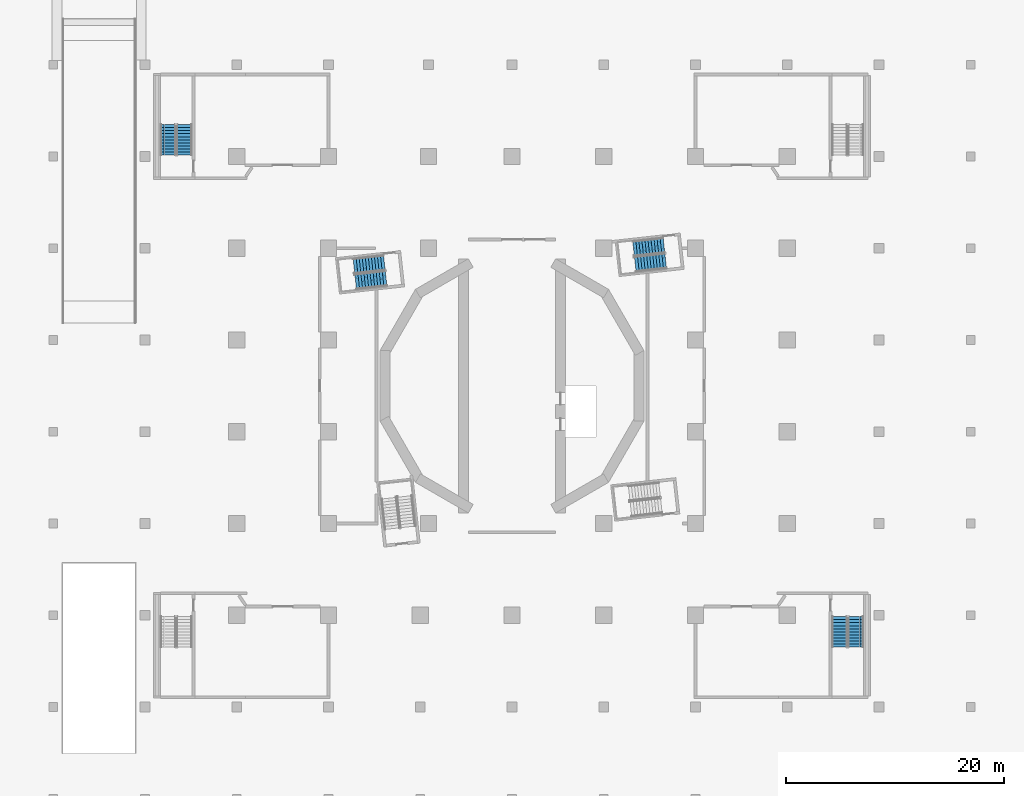
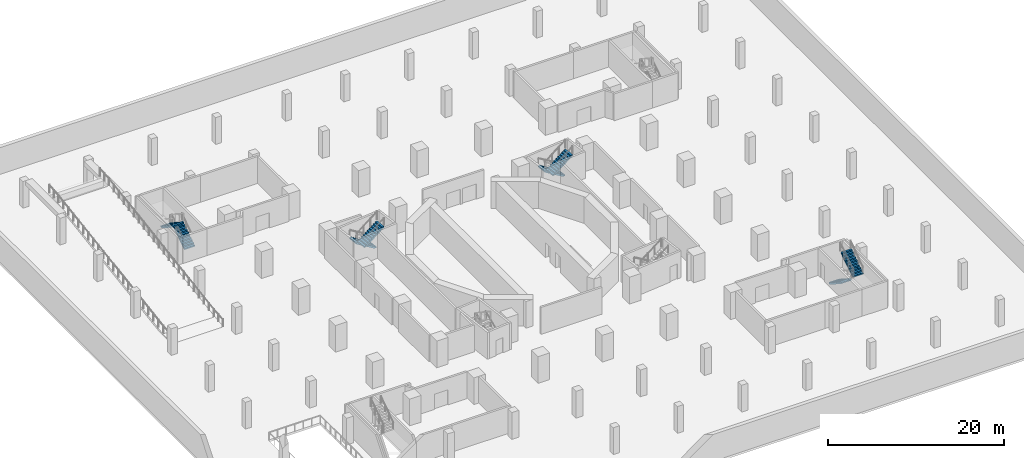
# One storey, part 11 of 18: 8 stair flights, 4 elements without a shape of their own.
"""IFC4 building model written with IfcOpenShell, lengths in metres."""

from ifc_helpers import new_model, si_unit, direction, frame, origin, place, context, subcontext, project, spatial, polyline, outline, extrude, material, type_object, element, aggregate, save


model = new_model("IFC4")

# Units and contexts
model_context = context("Model", 3, precision=1e-05, world=origin(), true_north=direction((0.0, 1.0)))
body_context = subcontext(model_context, "Body", "Model", "MODEL_VIEW")
ifc_project = project(units=[si_unit("LENGTHUNIT", "METRE"), si_unit("AREAUNIT", "SQUARE_METRE"), si_unit("VOLUMEUNIT", "CUBIC_METRE"), si_unit("PLANEANGLEUNIT", "RADIAN"), si_unit("MASSUNIT", "GRAM", prefix="KILO")], contexts=[model_context])

# Site, building, storey
site_placement = place(None, origin())
site = spatial("IfcSite", under=ifc_project, at=site_placement, CompositionType="ELEMENT")
building_placement = place(site_placement, origin())
building = spatial("IfcBuilding", under=site, at=building_placement, Name="Cantera Rosa Tower", CompositionType="ELEMENT")
storey_placement = place(building_placement, frame((0.0, 0.0, -13.0)))
storey = spatial("IfcBuildingStorey", under=building, at=storey_placement, Name="B3", CompositionType="ELEMENT", Elevation=-13.0)

# Stair, stair flights
ifc_material_1 = material(Name="Concrete C35/45", Category="concrete")
stair_type_1 = type_object("IfcStairType", Name="EXIT STAIR 1350 DOGLEG", PredefinedType="HALF_TURN_STAIR", material=ifc_material_1)
stair_1_placement = place(storey_placement, origin())
stair_1 = element("IfcStair", 1, at=stair_1_placement, inside=storey, type_object=stair_type_1, Name="B3 ST-11", PredefinedType="HALF_TURN_STAIR")
ifc_material_2 = material(Name="Concrete C35/45", Category="concrete")
stair_flight_type_1 = type_object("IfcStairFlightType", Name="STAIR FLIGHT 1350 R22x182", PredefinedType="STRAIGHT", material=ifc_material_2)
stair_flight_1_placement = place(storey_placement, frame((13.90869140625, 12.89990234375, 0.0), z_axis=(0.0, 0.0, 1.0), x_axis=(-0.993896947056, -0.110312549749, 0.0)))
stair_flight_1 = element("IfcStairFlight", 2, at=stair_flight_1_placement, type_object=stair_flight_type_1, Name="ST-11 flight 1", NumberOfRisers=11, NumberOfTreads=10, PredefinedType="STRAIGHT", RiserHeight=0.181818182, TreadLength=0.28, context=body_context, shape_type="SweptSolid", body=[
    extrude(outline(polyline([(0.0, 0.0), (0.0, 0.181884765625), (0.280029296875, 0.181884765625), (0.280029296875, 0.363525390625), (0.56005859375, 0.363525390625), (0.56005859375, 0.54541015625), (0.840087890625, 0.54541015625), (0.840087890625, 0.727294921875), (1.1201171875, 0.727294921875), (1.1201171875, 0.9091796875), (1.39990234375, 0.9091796875), (1.39990234375, 1.0908203125), (1.679931640625, 1.0908203125), (1.679931640625, 1.272705078125), (1.9599609375, 1.272705078125), (1.9599609375, 1.45458984375), (2.239990234375, 1.45458984375), (2.239990234375, 1.636474609375), (2.52001953125, 1.636474609375), (2.52001953125, 1.818115234375), (2.800048828125, 1.818115234375), (2.800048828125, 2.0), (2.800048828125, 1.639404296875), (0.275146484375, 0.0), (0.0, 0.0)])), frame((0.0, 0.675048828125, 0.0), z_axis=(0.0, -1.0, 0.0), x_axis=(1.0, 0.0, 0.0)), (0.0, 0.0, 1.0), 0.3359375),
    extrude(outline(polyline([(0.0, 0.0), (0.0, 0.181884765625), (0.280029296875, 0.181884765625), (0.280029296875, 0.363525390625), (0.56005859375, 0.363525390625), (0.56005859375, 0.54541015625), (0.840087890625, 0.54541015625), (0.840087890625, 0.727294921875), (1.1201171875, 0.727294921875), (1.1201171875, 0.9091796875), (1.39990234375, 0.9091796875), (1.39990234375, 1.0908203125), (1.679931640625, 1.0908203125), (1.679931640625, 1.272705078125), (1.9599609375, 1.272705078125), (1.9599609375, 1.45458984375), (2.239990234375, 1.45458984375), (2.239990234375, 1.636474609375), (2.52001953125, 1.636474609375), (2.52001953125, 1.818115234375), (2.800048828125, 1.818115234375), (2.800048828125, 2.0), (2.800048828125, 1.639404296875), (0.275146484375, 0.0), (0.0, 0.0)])), frame((0.0, 0.337158203125, 0.0), z_axis=(0.0, -1.0, 0.0), x_axis=(1.0, 0.0, 0.0)), (0.0, 0.0, 1.0), 0.3359375),
    extrude(outline(polyline([(0.0, 0.0), (0.0, 0.181884765625), (0.280029296875, 0.181884765625), (0.280029296875, 0.363525390625), (0.56005859375, 0.363525390625), (0.56005859375, 0.54541015625), (0.840087890625, 0.54541015625), (0.840087890625, 0.727294921875), (1.1201171875, 0.727294921875), (1.1201171875, 0.9091796875), (1.39990234375, 0.9091796875), (1.39990234375, 1.0908203125), (1.679931640625, 1.0908203125), (1.679931640625, 1.272705078125), (1.9599609375, 1.272705078125), (1.9599609375, 1.45458984375), (2.239990234375, 1.45458984375), (2.239990234375, 1.636474609375), (2.52001953125, 1.636474609375), (2.52001953125, 1.818115234375), (2.800048828125, 1.818115234375), (2.800048828125, 2.0), (2.800048828125, 1.639404296875), (0.275146484375, 0.0), (0.0, 0.0)])), frame((0.0, -0.000732421875, 0.0), z_axis=(0.0, -1.0, 0.0), x_axis=(1.0, 0.0, 0.0)), (0.0, 0.0, 1.0), 0.3359375),
    extrude(outline(polyline([(0.0, 0.0), (0.0, 0.181884765625), (0.280029296875, 0.181884765625), (0.280029296875, 0.363525390625), (0.56005859375, 0.363525390625), (0.56005859375, 0.54541015625), (0.840087890625, 0.54541015625), (0.840087890625, 0.727294921875), (1.1201171875, 0.727294921875), (1.1201171875, 0.9091796875), (1.39990234375, 0.9091796875), (1.39990234375, 1.0908203125), (1.679931640625, 1.0908203125), (1.679931640625, 1.272705078125), (1.9599609375, 1.272705078125), (1.9599609375, 1.45458984375), (2.239990234375, 1.45458984375), (2.239990234375, 1.636474609375), (2.52001953125, 1.636474609375), (2.52001953125, 1.818115234375), (2.800048828125, 1.818115234375), (2.800048828125, 2.0), (2.800048828125, 1.639404296875), (0.275146484375, 0.0), (0.0, 0.0)])), frame((0.0, -0.338623046875, 0.0), z_axis=(0.0, -1.0, 0.0), x_axis=(1.0, 0.0, 0.0)), (0.0, 0.0, 1.0), 0.3359375),
])
stair_flight_2_placement = place(storey_placement, frame((11.291259765625, 11.10009765625, 2.0), z_axis=(0.0, 0.0, 1.0), x_axis=(0.993896947056, 0.110312549749, 0.0)))
stair_flight_2 = element("IfcStairFlight", 3, at=stair_flight_2_placement, type_object=stair_flight_type_1, Name="ST-11 flight 2", NumberOfRisers=11, NumberOfTreads=10, PredefinedType="STRAIGHT", RiserHeight=0.181818182, TreadLength=0.28, context=body_context, shape_type="SweptSolid", body=[
    extrude(outline(polyline([(0.0, 0.0), (0.0, 0.181884765625), (0.280029296875, 0.181884765625), (0.280029296875, 0.363525390625), (0.56005859375, 0.363525390625), (0.56005859375, 0.54541015625), (0.840087890625, 0.54541015625), (0.840087890625, 0.727294921875), (1.1201171875, 0.727294921875), (1.1201171875, 0.9091796875), (1.39990234375, 0.9091796875), (1.39990234375, 1.0908203125), (1.679931640625, 1.0908203125), (1.679931640625, 1.272705078125), (1.9599609375, 1.272705078125), (1.9599609375, 1.45458984375), (2.239990234375, 1.45458984375), (2.239990234375, 1.636474609375), (2.52001953125, 1.636474609375), (2.52001953125, 1.818115234375), (2.800048828125, 1.818115234375), (2.800048828125, 2.0), (2.800048828125, 1.639404296875), (0.275146484375, 0.0), (0.0, 0.0)])), frame((0.0, 0.675048828125, 0.0), z_axis=(0.0, -1.0, 0.0), x_axis=(1.0, 0.0, 0.0)), (0.0, 0.0, 1.0), 0.3359375),
    extrude(outline(polyline([(0.0, 0.0), (0.0, 0.181884765625), (0.280029296875, 0.181884765625), (0.280029296875, 0.363525390625), (0.56005859375, 0.363525390625), (0.56005859375, 0.54541015625), (0.840087890625, 0.54541015625), (0.840087890625, 0.727294921875), (1.1201171875, 0.727294921875), (1.1201171875, 0.9091796875), (1.39990234375, 0.9091796875), (1.39990234375, 1.0908203125), (1.679931640625, 1.0908203125), (1.679931640625, 1.272705078125), (1.9599609375, 1.272705078125), (1.9599609375, 1.45458984375), (2.239990234375, 1.45458984375), (2.239990234375, 1.636474609375), (2.52001953125, 1.636474609375), (2.52001953125, 1.818115234375), (2.800048828125, 1.818115234375), (2.800048828125, 2.0), (2.800048828125, 1.639404296875), (0.275146484375, 0.0), (0.0, 0.0)])), frame((0.0, 0.337158203125, 0.0), z_axis=(0.0, -1.0, 0.0), x_axis=(1.0, 0.0, 0.0)), (0.0, 0.0, 1.0), 0.3359375),
    extrude(outline(polyline([(0.0, 0.0), (0.0, 0.181884765625), (0.280029296875, 0.181884765625), (0.280029296875, 0.363525390625), (0.56005859375, 0.363525390625), (0.56005859375, 0.54541015625), (0.840087890625, 0.54541015625), (0.840087890625, 0.727294921875), (1.1201171875, 0.727294921875), (1.1201171875, 0.9091796875), (1.39990234375, 0.9091796875), (1.39990234375, 1.0908203125), (1.679931640625, 1.0908203125), (1.679931640625, 1.272705078125), (1.9599609375, 1.272705078125), (1.9599609375, 1.45458984375), (2.239990234375, 1.45458984375), (2.239990234375, 1.636474609375), (2.52001953125, 1.636474609375), (2.52001953125, 1.818115234375), (2.800048828125, 1.818115234375), (2.800048828125, 2.0), (2.800048828125, 1.639404296875), (0.275146484375, 0.0), (0.0, 0.0)])), frame((0.0, -0.000732421875, 0.0), z_axis=(0.0, -1.0, 0.0), x_axis=(1.0, 0.0, 0.0)), (0.0, 0.0, 1.0), 0.3359375),
    extrude(outline(polyline([(0.0, 0.0), (0.0, 0.181884765625), (0.280029296875, 0.181884765625), (0.280029296875, 0.363525390625), (0.56005859375, 0.363525390625), (0.56005859375, 0.54541015625), (0.840087890625, 0.54541015625), (0.840087890625, 0.727294921875), (1.1201171875, 0.727294921875), (1.1201171875, 0.9091796875), (1.39990234375, 0.9091796875), (1.39990234375, 1.0908203125), (1.679931640625, 1.0908203125), (1.679931640625, 1.272705078125), (1.9599609375, 1.272705078125), (1.9599609375, 1.45458984375), (2.239990234375, 1.45458984375), (2.239990234375, 1.636474609375), (2.52001953125, 1.636474609375), (2.52001953125, 1.818115234375), (2.800048828125, 1.818115234375), (2.800048828125, 2.0), (2.800048828125, 1.639404296875), (0.275146484375, 0.0), (0.0, 0.0)])), frame((0.0, -0.338623046875, 0.0), z_axis=(0.0, -1.0, 0.0), x_axis=(1.0, 0.0, 0.0)), (0.0, 0.0, 1.0), 0.3359375),
])
aggregate(stair_1, [stair_flight_1, stair_flight_2])

stair_2_placement = place(storey_placement, origin())
stair_2 = element("IfcStair", 4, at=stair_2_placement, inside=storey, type_object=stair_type_1, Name="B3 ST-12", PredefinedType="HALF_TURN_STAIR")
stair_flight_3_placement = place(storey_placement, frame((-11.691162109375, 11.2998046875, 0.0), z_axis=(0.0, 0.0, 1.0), x_axis=(-0.993896947056, -0.110312549749, 0.0)))
stair_flight_3 = element("IfcStairFlight", 5, at=stair_flight_3_placement, type_object=stair_flight_type_1, Name="ST-12 flight 1", NumberOfRisers=11, NumberOfTreads=10, PredefinedType="STRAIGHT", RiserHeight=0.181818182, TreadLength=0.28, context=body_context, shape_type="SweptSolid", body=[
    extrude(outline(polyline([(0.0, 0.0), (0.0, 0.181884765625), (0.280029296875, 0.181884765625), (0.280029296875, 0.363525390625), (0.56005859375, 0.363525390625), (0.56005859375, 0.54541015625), (0.840087890625, 0.54541015625), (0.840087890625, 0.727294921875), (1.1201171875, 0.727294921875), (1.1201171875, 0.9091796875), (1.39990234375, 0.9091796875), (1.39990234375, 1.0908203125), (1.679931640625, 1.0908203125), (1.679931640625, 1.272705078125), (1.9599609375, 1.272705078125), (1.9599609375, 1.45458984375), (2.239990234375, 1.45458984375), (2.239990234375, 1.636474609375), (2.52001953125, 1.636474609375), (2.52001953125, 1.818115234375), (2.800048828125, 1.818115234375), (2.800048828125, 2.0), (2.800048828125, 1.639404296875), (0.275146484375, 0.0), (0.0, 0.0)])), frame((0.0, 0.675048828125, 0.0), z_axis=(0.0, -1.0, 0.0), x_axis=(1.0, 0.0, 0.0)), (0.0, 0.0, 1.0), 0.3359375),
    extrude(outline(polyline([(0.0, 0.0), (0.0, 0.181884765625), (0.280029296875, 0.181884765625), (0.280029296875, 0.363525390625), (0.56005859375, 0.363525390625), (0.56005859375, 0.54541015625), (0.840087890625, 0.54541015625), (0.840087890625, 0.727294921875), (1.1201171875, 0.727294921875), (1.1201171875, 0.9091796875), (1.39990234375, 0.9091796875), (1.39990234375, 1.0908203125), (1.679931640625, 1.0908203125), (1.679931640625, 1.272705078125), (1.9599609375, 1.272705078125), (1.9599609375, 1.45458984375), (2.239990234375, 1.45458984375), (2.239990234375, 1.636474609375), (2.52001953125, 1.636474609375), (2.52001953125, 1.818115234375), (2.800048828125, 1.818115234375), (2.800048828125, 2.0), (2.800048828125, 1.639404296875), (0.275146484375, 0.0), (0.0, 0.0)])), frame((0.0, 0.337158203125, 0.0), z_axis=(0.0, -1.0, 0.0), x_axis=(1.0, 0.0, 0.0)), (0.0, 0.0, 1.0), 0.3359375),
    extrude(outline(polyline([(0.0, 0.0), (0.0, 0.181884765625), (0.280029296875, 0.181884765625), (0.280029296875, 0.363525390625), (0.56005859375, 0.363525390625), (0.56005859375, 0.54541015625), (0.840087890625, 0.54541015625), (0.840087890625, 0.727294921875), (1.1201171875, 0.727294921875), (1.1201171875, 0.9091796875), (1.39990234375, 0.9091796875), (1.39990234375, 1.0908203125), (1.679931640625, 1.0908203125), (1.679931640625, 1.272705078125), (1.9599609375, 1.272705078125), (1.9599609375, 1.45458984375), (2.239990234375, 1.45458984375), (2.239990234375, 1.636474609375), (2.52001953125, 1.636474609375), (2.52001953125, 1.818115234375), (2.800048828125, 1.818115234375), (2.800048828125, 2.0), (2.800048828125, 1.639404296875), (0.275146484375, 0.0), (0.0, 0.0)])), frame((0.0, -0.000732421875, 0.0), z_axis=(0.0, -1.0, 0.0), x_axis=(1.0, 0.0, 0.0)), (0.0, 0.0, 1.0), 0.3359375),
    extrude(outline(polyline([(0.0, 0.0), (0.0, 0.181884765625), (0.280029296875, 0.181884765625), (0.280029296875, 0.363525390625), (0.56005859375, 0.363525390625), (0.56005859375, 0.54541015625), (0.840087890625, 0.54541015625), (0.840087890625, 0.727294921875), (1.1201171875, 0.727294921875), (1.1201171875, 0.9091796875), (1.39990234375, 0.9091796875), (1.39990234375, 1.0908203125), (1.679931640625, 1.0908203125), (1.679931640625, 1.272705078125), (1.9599609375, 1.272705078125), (1.9599609375, 1.45458984375), (2.239990234375, 1.45458984375), (2.239990234375, 1.636474609375), (2.52001953125, 1.636474609375), (2.52001953125, 1.818115234375), (2.800048828125, 1.818115234375), (2.800048828125, 2.0), (2.800048828125, 1.639404296875), (0.275146484375, 0.0), (0.0, 0.0)])), frame((0.0, -0.338623046875, 0.0), z_axis=(0.0, -1.0, 0.0), x_axis=(1.0, 0.0, 0.0)), (0.0, 0.0, 1.0), 0.3359375),
])
stair_flight_4_placement = place(storey_placement, frame((-14.308837890625, 9.500244140625, 2.0), z_axis=(0.0, 0.0, 1.0), x_axis=(0.993896947056, 0.110312549749, 0.0)))
stair_flight_4 = element("IfcStairFlight", 6, at=stair_flight_4_placement, type_object=stair_flight_type_1, Name="ST-12 flight 2", NumberOfRisers=11, NumberOfTreads=10, PredefinedType="STRAIGHT", RiserHeight=0.181818182, TreadLength=0.28, context=body_context, shape_type="SweptSolid", body=[
    extrude(outline(polyline([(0.0, 0.0), (0.0, 0.181884765625), (0.280029296875, 0.181884765625), (0.280029296875, 0.363525390625), (0.56005859375, 0.363525390625), (0.56005859375, 0.54541015625), (0.840087890625, 0.54541015625), (0.840087890625, 0.727294921875), (1.1201171875, 0.727294921875), (1.1201171875, 0.9091796875), (1.39990234375, 0.9091796875), (1.39990234375, 1.0908203125), (1.679931640625, 1.0908203125), (1.679931640625, 1.272705078125), (1.9599609375, 1.272705078125), (1.9599609375, 1.45458984375), (2.239990234375, 1.45458984375), (2.239990234375, 1.636474609375), (2.52001953125, 1.636474609375), (2.52001953125, 1.818115234375), (2.800048828125, 1.818115234375), (2.800048828125, 2.0), (2.800048828125, 1.639404296875), (0.275146484375, 0.0), (0.0, 0.0)])), frame((0.0, 0.675048828125, 0.0), z_axis=(0.0, -1.0, 0.0), x_axis=(1.0, 0.0, 0.0)), (0.0, 0.0, 1.0), 0.3359375),
    extrude(outline(polyline([(0.0, 0.0), (0.0, 0.181884765625), (0.280029296875, 0.181884765625), (0.280029296875, 0.363525390625), (0.56005859375, 0.363525390625), (0.56005859375, 0.54541015625), (0.840087890625, 0.54541015625), (0.840087890625, 0.727294921875), (1.1201171875, 0.727294921875), (1.1201171875, 0.9091796875), (1.39990234375, 0.9091796875), (1.39990234375, 1.0908203125), (1.679931640625, 1.0908203125), (1.679931640625, 1.272705078125), (1.9599609375, 1.272705078125), (1.9599609375, 1.45458984375), (2.239990234375, 1.45458984375), (2.239990234375, 1.636474609375), (2.52001953125, 1.636474609375), (2.52001953125, 1.818115234375), (2.800048828125, 1.818115234375), (2.800048828125, 2.0), (2.800048828125, 1.639404296875), (0.275146484375, 0.0), (0.0, 0.0)])), frame((0.0, 0.337158203125, 0.0), z_axis=(0.0, -1.0, 0.0), x_axis=(1.0, 0.0, 0.0)), (0.0, 0.0, 1.0), 0.3359375),
    extrude(outline(polyline([(0.0, 0.0), (0.0, 0.181884765625), (0.280029296875, 0.181884765625), (0.280029296875, 0.363525390625), (0.56005859375, 0.363525390625), (0.56005859375, 0.54541015625), (0.840087890625, 0.54541015625), (0.840087890625, 0.727294921875), (1.1201171875, 0.727294921875), (1.1201171875, 0.9091796875), (1.39990234375, 0.9091796875), (1.39990234375, 1.0908203125), (1.679931640625, 1.0908203125), (1.679931640625, 1.272705078125), (1.9599609375, 1.272705078125), (1.9599609375, 1.45458984375), (2.239990234375, 1.45458984375), (2.239990234375, 1.636474609375), (2.52001953125, 1.636474609375), (2.52001953125, 1.818115234375), (2.800048828125, 1.818115234375), (2.800048828125, 2.0), (2.800048828125, 1.639404296875), (0.275146484375, 0.0), (0.0, 0.0)])), frame((0.0, -0.000732421875, 0.0), z_axis=(0.0, -1.0, 0.0), x_axis=(1.0, 0.0, 0.0)), (0.0, 0.0, 1.0), 0.3359375),
    extrude(outline(polyline([(0.0, 0.0), (0.0, 0.181884765625), (0.280029296875, 0.181884765625), (0.280029296875, 0.363525390625), (0.56005859375, 0.363525390625), (0.56005859375, 0.54541015625), (0.840087890625, 0.54541015625), (0.840087890625, 0.727294921875), (1.1201171875, 0.727294921875), (1.1201171875, 0.9091796875), (1.39990234375, 0.9091796875), (1.39990234375, 1.0908203125), (1.679931640625, 1.0908203125), (1.679931640625, 1.272705078125), (1.9599609375, 1.272705078125), (1.9599609375, 1.45458984375), (2.239990234375, 1.45458984375), (2.239990234375, 1.636474609375), (2.52001953125, 1.636474609375), (2.52001953125, 1.818115234375), (2.800048828125, 1.818115234375), (2.800048828125, 2.0), (2.800048828125, 1.639404296875), (0.275146484375, 0.0), (0.0, 0.0)])), frame((0.0, -0.338623046875, 0.0), z_axis=(0.0, -1.0, 0.0), x_axis=(1.0, 0.0, 0.0)), (0.0, 0.0, 1.0), 0.3359375),
])
aggregate(stair_2, [stair_flight_3, stair_flight_4])

ifc_material_3 = material(Name="Concrete C35/45", Category="concrete")
stair_type_2 = type_object("IfcStairType", Name="Stair half-turn 1350", PredefinedType="HALF_TURN_STAIR", material=ifc_material_3)
stair_3_placement = place(storey_placement, origin())
stair_3 = element("IfcStair", 7, at=stair_3_placement, inside=storey, type_object=stair_type_2, Name="B3 ST-NW", PredefinedType="HALF_TURN_STAIR")
ifc_material_4 = material(Name="Concrete C35/45", Category="concrete")
stair_flight_type_2 = type_object("IfcStairFlightType", Name="Stair flight 1350", PredefinedType="STRAIGHT", material=ifc_material_4)
stair_flight_5_placement = place(storey_placement, frame((-29.949951171875, 21.125, 0.0), z_axis=(0.0, 0.0, 1.0), x_axis=(0.0, 1.0, 0.0)))
stair_flight_5 = element("IfcStairFlight", 8, at=stair_flight_5_placement, type_object=stair_flight_type_2, Name="ST-NW flight 1", NumberOfRisers=11, NumberOfTreads=10, PredefinedType="STRAIGHT", RiserHeight=0.181818182, TreadLength=0.28, context=body_context, shape_type="SweptSolid", body=[
    extrude(outline(polyline([(0.0, 0.0), (0.0, 0.181884765625), (0.280029296875, 0.181884765625), (0.280029296875, 0.363525390625), (0.56005859375, 0.363525390625), (0.56005859375, 0.54541015625), (0.840087890625, 0.54541015625), (0.840087890625, 0.727294921875), (1.1201171875, 0.727294921875), (1.1201171875, 0.9091796875), (1.39990234375, 0.9091796875), (1.39990234375, 1.0908203125), (1.679931640625, 1.0908203125), (1.679931640625, 1.272705078125), (1.9599609375, 1.272705078125), (1.9599609375, 1.45458984375), (2.239990234375, 1.45458984375), (2.239990234375, 1.636474609375), (2.52001953125, 1.636474609375), (2.52001953125, 1.818115234375), (2.800048828125, 1.818115234375), (2.800048828125, 2.0), (2.800048828125, 1.639404296875), (0.275146484375, 0.0), (0.0, 0.0)])), frame((0.0, 0.675048828125, 0.0), z_axis=(0.0, -1.0, 0.0), x_axis=(1.0, 0.0, 0.0)), (0.0, 0.0, 1.0), 0.3359375),
    extrude(outline(polyline([(0.0, 0.0), (0.0, 0.181884765625), (0.280029296875, 0.181884765625), (0.280029296875, 0.363525390625), (0.56005859375, 0.363525390625), (0.56005859375, 0.54541015625), (0.840087890625, 0.54541015625), (0.840087890625, 0.727294921875), (1.1201171875, 0.727294921875), (1.1201171875, 0.9091796875), (1.39990234375, 0.9091796875), (1.39990234375, 1.0908203125), (1.679931640625, 1.0908203125), (1.679931640625, 1.272705078125), (1.9599609375, 1.272705078125), (1.9599609375, 1.45458984375), (2.239990234375, 1.45458984375), (2.239990234375, 1.636474609375), (2.52001953125, 1.636474609375), (2.52001953125, 1.818115234375), (2.800048828125, 1.818115234375), (2.800048828125, 2.0), (2.800048828125, 1.639404296875), (0.275146484375, 0.0), (0.0, 0.0)])), frame((0.0, 0.337158203125, 0.0), z_axis=(0.0, -1.0, 0.0), x_axis=(1.0, 0.0, 0.0)), (0.0, 0.0, 1.0), 0.3359375),
    extrude(outline(polyline([(0.0, 0.0), (0.0, 0.181884765625), (0.280029296875, 0.181884765625), (0.280029296875, 0.363525390625), (0.56005859375, 0.363525390625), (0.56005859375, 0.54541015625), (0.840087890625, 0.54541015625), (0.840087890625, 0.727294921875), (1.1201171875, 0.727294921875), (1.1201171875, 0.9091796875), (1.39990234375, 0.9091796875), (1.39990234375, 1.0908203125), (1.679931640625, 1.0908203125), (1.679931640625, 1.272705078125), (1.9599609375, 1.272705078125), (1.9599609375, 1.45458984375), (2.239990234375, 1.45458984375), (2.239990234375, 1.636474609375), (2.52001953125, 1.636474609375), (2.52001953125, 1.818115234375), (2.800048828125, 1.818115234375), (2.800048828125, 2.0), (2.800048828125, 1.639404296875), (0.275146484375, 0.0), (0.0, 0.0)])), frame((0.0, -0.000732421875, 0.0), z_axis=(0.0, -1.0, 0.0), x_axis=(1.0, 0.0, 0.0)), (0.0, 0.0, 1.0), 0.3359375),
    extrude(outline(polyline([(0.0, 0.0), (0.0, 0.181884765625), (0.280029296875, 0.181884765625), (0.280029296875, 0.363525390625), (0.56005859375, 0.363525390625), (0.56005859375, 0.54541015625), (0.840087890625, 0.54541015625), (0.840087890625, 0.727294921875), (1.1201171875, 0.727294921875), (1.1201171875, 0.9091796875), (1.39990234375, 0.9091796875), (1.39990234375, 1.0908203125), (1.679931640625, 1.0908203125), (1.679931640625, 1.272705078125), (1.9599609375, 1.272705078125), (1.9599609375, 1.45458984375), (2.239990234375, 1.45458984375), (2.239990234375, 1.636474609375), (2.52001953125, 1.636474609375), (2.52001953125, 1.818115234375), (2.800048828125, 1.818115234375), (2.800048828125, 2.0), (2.800048828125, 1.639404296875), (0.275146484375, 0.0), (0.0, 0.0)])), frame((0.0, -0.338623046875, 0.0), z_axis=(0.0, -1.0, 0.0), x_axis=(1.0, 0.0, 0.0)), (0.0, 0.0, 1.0), 0.3359375),
])
stair_flight_6_placement = place(storey_placement, frame((-31.5, 23.925048828125, 2.0), z_axis=(0.0, 0.0, 1.0), x_axis=(0.0, -1.0, 0.0)))
stair_flight_6 = element("IfcStairFlight", 9, at=stair_flight_6_placement, type_object=stair_flight_type_2, Name="ST-NW flight 2", NumberOfRisers=11, NumberOfTreads=10, PredefinedType="STRAIGHT", RiserHeight=0.181818182, TreadLength=0.28, context=body_context, shape_type="SweptSolid", body=[
    extrude(outline(polyline([(0.0, 0.0), (0.0, 0.181884765625), (0.280029296875, 0.181884765625), (0.280029296875, 0.363525390625), (0.56005859375, 0.363525390625), (0.56005859375, 0.54541015625), (0.840087890625, 0.54541015625), (0.840087890625, 0.727294921875), (1.1201171875, 0.727294921875), (1.1201171875, 0.9091796875), (1.39990234375, 0.9091796875), (1.39990234375, 1.0908203125), (1.679931640625, 1.0908203125), (1.679931640625, 1.272705078125), (1.9599609375, 1.272705078125), (1.9599609375, 1.45458984375), (2.239990234375, 1.45458984375), (2.239990234375, 1.636474609375), (2.52001953125, 1.636474609375), (2.52001953125, 1.818115234375), (2.800048828125, 1.818115234375), (2.800048828125, 2.0), (2.800048828125, 1.639404296875), (0.275146484375, 0.0), (0.0, 0.0)])), frame((0.0, 0.675048828125, 0.0), z_axis=(0.0, -1.0, 0.0), x_axis=(1.0, 0.0, 0.0)), (0.0, 0.0, 1.0), 0.3359375),
    extrude(outline(polyline([(0.0, 0.0), (0.0, 0.181884765625), (0.280029296875, 0.181884765625), (0.280029296875, 0.363525390625), (0.56005859375, 0.363525390625), (0.56005859375, 0.54541015625), (0.840087890625, 0.54541015625), (0.840087890625, 0.727294921875), (1.1201171875, 0.727294921875), (1.1201171875, 0.9091796875), (1.39990234375, 0.9091796875), (1.39990234375, 1.0908203125), (1.679931640625, 1.0908203125), (1.679931640625, 1.272705078125), (1.9599609375, 1.272705078125), (1.9599609375, 1.45458984375), (2.239990234375, 1.45458984375), (2.239990234375, 1.636474609375), (2.52001953125, 1.636474609375), (2.52001953125, 1.818115234375), (2.800048828125, 1.818115234375), (2.800048828125, 2.0), (2.800048828125, 1.639404296875), (0.275146484375, 0.0), (0.0, 0.0)])), frame((0.0, 0.337158203125, 0.0), z_axis=(0.0, -1.0, 0.0), x_axis=(1.0, 0.0, 0.0)), (0.0, 0.0, 1.0), 0.3359375),
    extrude(outline(polyline([(0.0, 0.0), (0.0, 0.181884765625), (0.280029296875, 0.181884765625), (0.280029296875, 0.363525390625), (0.56005859375, 0.363525390625), (0.56005859375, 0.54541015625), (0.840087890625, 0.54541015625), (0.840087890625, 0.727294921875), (1.1201171875, 0.727294921875), (1.1201171875, 0.9091796875), (1.39990234375, 0.9091796875), (1.39990234375, 1.0908203125), (1.679931640625, 1.0908203125), (1.679931640625, 1.272705078125), (1.9599609375, 1.272705078125), (1.9599609375, 1.45458984375), (2.239990234375, 1.45458984375), (2.239990234375, 1.636474609375), (2.52001953125, 1.636474609375), (2.52001953125, 1.818115234375), (2.800048828125, 1.818115234375), (2.800048828125, 2.0), (2.800048828125, 1.639404296875), (0.275146484375, 0.0), (0.0, 0.0)])), frame((0.0, -0.000732421875, 0.0), z_axis=(0.0, -1.0, 0.0), x_axis=(1.0, 0.0, 0.0)), (0.0, 0.0, 1.0), 0.3359375),
    extrude(outline(polyline([(0.0, 0.0), (0.0, 0.181884765625), (0.280029296875, 0.181884765625), (0.280029296875, 0.363525390625), (0.56005859375, 0.363525390625), (0.56005859375, 0.54541015625), (0.840087890625, 0.54541015625), (0.840087890625, 0.727294921875), (1.1201171875, 0.727294921875), (1.1201171875, 0.9091796875), (1.39990234375, 0.9091796875), (1.39990234375, 1.0908203125), (1.679931640625, 1.0908203125), (1.679931640625, 1.272705078125), (1.9599609375, 1.272705078125), (1.9599609375, 1.45458984375), (2.239990234375, 1.45458984375), (2.239990234375, 1.636474609375), (2.52001953125, 1.636474609375), (2.52001953125, 1.818115234375), (2.800048828125, 1.818115234375), (2.800048828125, 2.0), (2.800048828125, 1.639404296875), (0.275146484375, 0.0), (0.0, 0.0)])), frame((0.0, -0.338623046875, 0.0), z_axis=(0.0, -1.0, 0.0), x_axis=(1.0, 0.0, 0.0)), (0.0, 0.0, 1.0), 0.3359375),
])
aggregate(stair_3, [stair_flight_5, stair_flight_6])

stair_4_placement = place(storey_placement, origin())
stair_4 = element("IfcStair", 10, at=stair_4_placement, inside=storey, type_object=stair_type_2, Name="B3 ST-SE", PredefinedType="HALF_TURN_STAIR")
stair_flight_7_placement = place(storey_placement, frame((29.949951171875, -21.125, 0.0), z_axis=(0.0, 0.0, 1.0), x_axis=(0.0, -1.0, 0.0)))
stair_flight_7 = element("IfcStairFlight", 11, at=stair_flight_7_placement, type_object=stair_flight_type_2, Name="ST-SE flight 1", NumberOfRisers=11, NumberOfTreads=10, PredefinedType="STRAIGHT", RiserHeight=0.181818182, TreadLength=0.28, context=body_context, shape_type="SweptSolid", body=[
    extrude(outline(polyline([(0.0, 0.0), (0.0, 0.181884765625), (0.280029296875, 0.181884765625), (0.280029296875, 0.363525390625), (0.56005859375, 0.363525390625), (0.56005859375, 0.54541015625), (0.840087890625, 0.54541015625), (0.840087890625, 0.727294921875), (1.1201171875, 0.727294921875), (1.1201171875, 0.9091796875), (1.39990234375, 0.9091796875), (1.39990234375, 1.0908203125), (1.679931640625, 1.0908203125), (1.679931640625, 1.272705078125), (1.9599609375, 1.272705078125), (1.9599609375, 1.45458984375), (2.239990234375, 1.45458984375), (2.239990234375, 1.636474609375), (2.52001953125, 1.636474609375), (2.52001953125, 1.818115234375), (2.800048828125, 1.818115234375), (2.800048828125, 2.0), (2.800048828125, 1.639404296875), (0.275146484375, 0.0), (0.0, 0.0)])), frame((0.0, 0.675048828125, 0.0), z_axis=(0.0, -1.0, 0.0), x_axis=(1.0, 0.0, 0.0)), (0.0, 0.0, 1.0), 0.3359375),
    extrude(outline(polyline([(0.0, 0.0), (0.0, 0.181884765625), (0.280029296875, 0.181884765625), (0.280029296875, 0.363525390625), (0.56005859375, 0.363525390625), (0.56005859375, 0.54541015625), (0.840087890625, 0.54541015625), (0.840087890625, 0.727294921875), (1.1201171875, 0.727294921875), (1.1201171875, 0.9091796875), (1.39990234375, 0.9091796875), (1.39990234375, 1.0908203125), (1.679931640625, 1.0908203125), (1.679931640625, 1.272705078125), (1.9599609375, 1.272705078125), (1.9599609375, 1.45458984375), (2.239990234375, 1.45458984375), (2.239990234375, 1.636474609375), (2.52001953125, 1.636474609375), (2.52001953125, 1.818115234375), (2.800048828125, 1.818115234375), (2.800048828125, 2.0), (2.800048828125, 1.639404296875), (0.275146484375, 0.0), (0.0, 0.0)])), frame((0.0, 0.337158203125, 0.0), z_axis=(0.0, -1.0, 0.0), x_axis=(1.0, 0.0, 0.0)), (0.0, 0.0, 1.0), 0.3359375),
    extrude(outline(polyline([(0.0, 0.0), (0.0, 0.181884765625), (0.280029296875, 0.181884765625), (0.280029296875, 0.363525390625), (0.56005859375, 0.363525390625), (0.56005859375, 0.54541015625), (0.840087890625, 0.54541015625), (0.840087890625, 0.727294921875), (1.1201171875, 0.727294921875), (1.1201171875, 0.9091796875), (1.39990234375, 0.9091796875), (1.39990234375, 1.0908203125), (1.679931640625, 1.0908203125), (1.679931640625, 1.272705078125), (1.9599609375, 1.272705078125), (1.9599609375, 1.45458984375), (2.239990234375, 1.45458984375), (2.239990234375, 1.636474609375), (2.52001953125, 1.636474609375), (2.52001953125, 1.818115234375), (2.800048828125, 1.818115234375), (2.800048828125, 2.0), (2.800048828125, 1.639404296875), (0.275146484375, 0.0), (0.0, 0.0)])), frame((0.0, -0.000732421875, 0.0), z_axis=(0.0, -1.0, 0.0), x_axis=(1.0, 0.0, 0.0)), (0.0, 0.0, 1.0), 0.3359375),
    extrude(outline(polyline([(0.0, 0.0), (0.0, 0.181884765625), (0.280029296875, 0.181884765625), (0.280029296875, 0.363525390625), (0.56005859375, 0.363525390625), (0.56005859375, 0.54541015625), (0.840087890625, 0.54541015625), (0.840087890625, 0.727294921875), (1.1201171875, 0.727294921875), (1.1201171875, 0.9091796875), (1.39990234375, 0.9091796875), (1.39990234375, 1.0908203125), (1.679931640625, 1.0908203125), (1.679931640625, 1.272705078125), (1.9599609375, 1.272705078125), (1.9599609375, 1.45458984375), (2.239990234375, 1.45458984375), (2.239990234375, 1.636474609375), (2.52001953125, 1.636474609375), (2.52001953125, 1.818115234375), (2.800048828125, 1.818115234375), (2.800048828125, 2.0), (2.800048828125, 1.639404296875), (0.275146484375, 0.0), (0.0, 0.0)])), frame((0.0, -0.338623046875, 0.0), z_axis=(0.0, -1.0, 0.0), x_axis=(1.0, 0.0, 0.0)), (0.0, 0.0, 1.0), 0.3359375),
])
stair_flight_8_placement = place(storey_placement, frame((31.5, -23.925048828125, 2.0), z_axis=(0.0, 0.0, 1.0), x_axis=(0.0, 1.0, 0.0)))
stair_flight_8 = element("IfcStairFlight", 12, at=stair_flight_8_placement, type_object=stair_flight_type_2, Name="ST-SE flight 2", NumberOfRisers=11, NumberOfTreads=10, PredefinedType="STRAIGHT", RiserHeight=0.181818182, TreadLength=0.28, context=body_context, shape_type="SweptSolid", body=[
    extrude(outline(polyline([(0.0, 0.0), (0.0, 0.181884765625), (0.280029296875, 0.181884765625), (0.280029296875, 0.363525390625), (0.56005859375, 0.363525390625), (0.56005859375, 0.54541015625), (0.840087890625, 0.54541015625), (0.840087890625, 0.727294921875), (1.1201171875, 0.727294921875), (1.1201171875, 0.9091796875), (1.39990234375, 0.9091796875), (1.39990234375, 1.0908203125), (1.679931640625, 1.0908203125), (1.679931640625, 1.272705078125), (1.9599609375, 1.272705078125), (1.9599609375, 1.45458984375), (2.239990234375, 1.45458984375), (2.239990234375, 1.636474609375), (2.52001953125, 1.636474609375), (2.52001953125, 1.818115234375), (2.800048828125, 1.818115234375), (2.800048828125, 2.0), (2.800048828125, 1.639404296875), (0.275146484375, 0.0), (0.0, 0.0)])), frame((0.0, 0.675048828125, 0.0), z_axis=(0.0, -1.0, 0.0), x_axis=(1.0, 0.0, 0.0)), (0.0, 0.0, 1.0), 0.3359375),
    extrude(outline(polyline([(0.0, 0.0), (0.0, 0.181884765625), (0.280029296875, 0.181884765625), (0.280029296875, 0.363525390625), (0.56005859375, 0.363525390625), (0.56005859375, 0.54541015625), (0.840087890625, 0.54541015625), (0.840087890625, 0.727294921875), (1.1201171875, 0.727294921875), (1.1201171875, 0.9091796875), (1.39990234375, 0.9091796875), (1.39990234375, 1.0908203125), (1.679931640625, 1.0908203125), (1.679931640625, 1.272705078125), (1.9599609375, 1.272705078125), (1.9599609375, 1.45458984375), (2.239990234375, 1.45458984375), (2.239990234375, 1.636474609375), (2.52001953125, 1.636474609375), (2.52001953125, 1.818115234375), (2.800048828125, 1.818115234375), (2.800048828125, 2.0), (2.800048828125, 1.639404296875), (0.275146484375, 0.0), (0.0, 0.0)])), frame((0.0, 0.337158203125, 0.0), z_axis=(0.0, -1.0, 0.0), x_axis=(1.0, 0.0, 0.0)), (0.0, 0.0, 1.0), 0.3359375),
    extrude(outline(polyline([(0.0, 0.0), (0.0, 0.181884765625), (0.280029296875, 0.181884765625), (0.280029296875, 0.363525390625), (0.56005859375, 0.363525390625), (0.56005859375, 0.54541015625), (0.840087890625, 0.54541015625), (0.840087890625, 0.727294921875), (1.1201171875, 0.727294921875), (1.1201171875, 0.9091796875), (1.39990234375, 0.9091796875), (1.39990234375, 1.0908203125), (1.679931640625, 1.0908203125), (1.679931640625, 1.272705078125), (1.9599609375, 1.272705078125), (1.9599609375, 1.45458984375), (2.239990234375, 1.45458984375), (2.239990234375, 1.636474609375), (2.52001953125, 1.636474609375), (2.52001953125, 1.818115234375), (2.800048828125, 1.818115234375), (2.800048828125, 2.0), (2.800048828125, 1.639404296875), (0.275146484375, 0.0), (0.0, 0.0)])), frame((0.0, -0.000732421875, 0.0), z_axis=(0.0, -1.0, 0.0), x_axis=(1.0, 0.0, 0.0)), (0.0, 0.0, 1.0), 0.3359375),
    extrude(outline(polyline([(0.0, 0.0), (0.0, 0.181884765625), (0.280029296875, 0.181884765625), (0.280029296875, 0.363525390625), (0.56005859375, 0.363525390625), (0.56005859375, 0.54541015625), (0.840087890625, 0.54541015625), (0.840087890625, 0.727294921875), (1.1201171875, 0.727294921875), (1.1201171875, 0.9091796875), (1.39990234375, 0.9091796875), (1.39990234375, 1.0908203125), (1.679931640625, 1.0908203125), (1.679931640625, 1.272705078125), (1.9599609375, 1.272705078125), (1.9599609375, 1.45458984375), (2.239990234375, 1.45458984375), (2.239990234375, 1.636474609375), (2.52001953125, 1.636474609375), (2.52001953125, 1.818115234375), (2.800048828125, 1.818115234375), (2.800048828125, 2.0), (2.800048828125, 1.639404296875), (0.275146484375, 0.0), (0.0, 0.0)])), frame((0.0, -0.338623046875, 0.0), z_axis=(0.0, -1.0, 0.0), x_axis=(1.0, 0.0, 0.0)), (0.0, 0.0, 1.0), 0.3359375),
])
aggregate(stair_4, [stair_flight_7, stair_flight_8])

save(model, "model.ifc")
